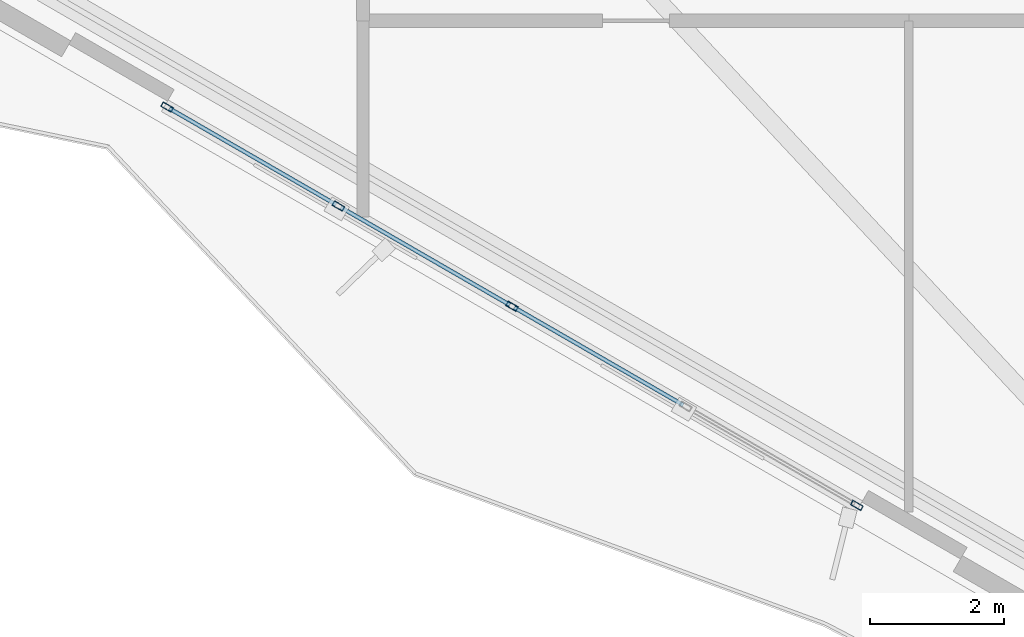
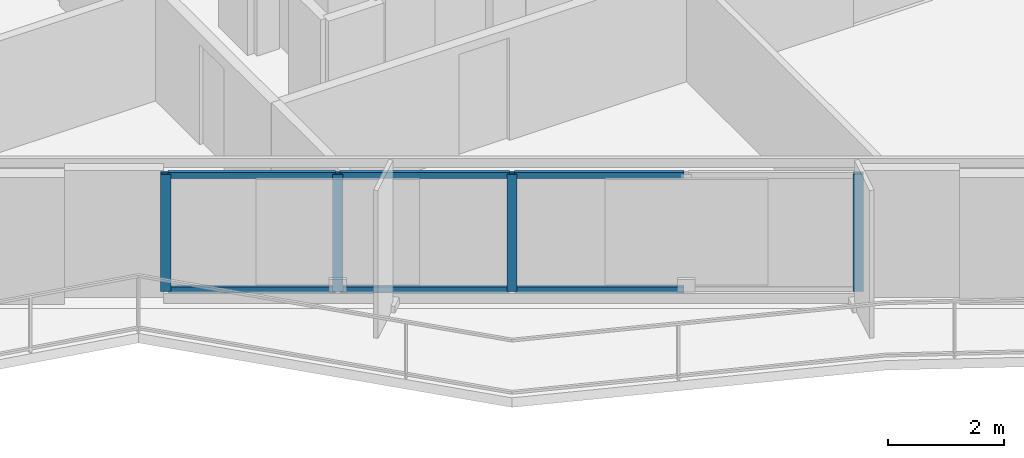
# One storey, part 2 of 16: 10 members, 1 element without a shape of its own.
"""IFC4 building model written with IfcOpenShell, lengths in metres."""

import ifcopenshell
import ifcopenshell.guid

model = None  # the IFC model being written
_history = None  # IfcOwnerHistory: only IFC2X3 demands one
_inside = {}  # id of a spatial element -> (the spatial element, [elements in it])
_under = {}  # id of a project, library or spatial element -> (it, [spatial elements below it])
_declared = {}  # id of a project -> (the project, [libraries it declares])
_typed = {}  # id of a type object -> (the type object, [elements of that type])
_made_of = {}  # id of a material, layer set ... -> (it, [elements and type objects made of it])


def new_model(schema):
    """Start an empty IFC model of exactly this schema.

    Asked for "IFC4X3", IfcOpenShell would pick the latest addendum, in which some entities
    have other attributes; the version numbers below select the first issue.
    IFC2X3 requires an IfcOwnerHistory on every rooted entity: one is made here for all.
    """
    global model, _history
    if schema == "IFC4X3":
        model = ifcopenshell.file(schema_version=(4, 3, 0, 0))
    else:
        model = ifcopenshell.file(schema=schema)
    _inside.clear()
    _under.clear()
    _declared.clear()
    _typed.clear()
    _made_of.clear()
    _history = None
    if model.schema == "IFC2X3":
        org = make("IfcOrganization", Name="unknown")
        user = make(
            "IfcPersonAndOrganization",
            ThePerson=make("IfcPerson", FamilyName="unknown"),
            TheOrganization=org,
        )
        app = make(
            "IfcApplication",
            ApplicationDeveloper=org,
            Version="unknown",
            ApplicationFullName="unknown",
            ApplicationIdentifier="unknown",
        )
        _history = make(
            "IfcOwnerHistory",
            OwningUser=user,
            OwningApplication=app,
            ChangeAction="ADDED",
            CreationDate=0,
        )
    return model


def make(cls, **values):
    """One entity of the class cls with the attributes given. An attribute that is None is left unset."""
    return model.create_entity(
        cls, **{name: value for name, value in values.items() if value is not None}
    )


def rooted(cls, **values):
    """An entity with a GlobalId (a new one), such as an element, a storey or a relation."""
    return make(cls, GlobalId=ifcopenshell.guid.new(), OwnerHistory=_history, **values)


def si_unit(unit_type, name, prefix=None):
    """IfcSIUnit, for example si_unit("LENGTHUNIT", "METRE", prefix="MILLI")."""
    return make("IfcSIUnit", UnitType=unit_type, Prefix=prefix, Name=name)


def assignment(units):
    """IfcUnitAssignment: the units of a project."""
    return None if units is None else make("IfcUnitAssignment", Units=units)


def point(xyz):
    """IfcCartesianPoint."""
    return None if xyz is None else make("IfcCartesianPoint", Coordinates=xyz)


def direction(xyz):
    """IfcDirection."""
    return None if xyz is None else make("IfcDirection", DirectionRatios=xyz)


def frame(location, z_axis=None, x_axis=None):
    """IfcAxis2Placement3D, a coordinate frame: its origin and axes. An axis left out is left unset."""
    return make(
        "IfcAxis2Placement3D",
        Location=point(location),
        Axis=direction(z_axis),
        RefDirection=direction(x_axis),
    )


def frame_2d(location, x_axis=None):
    """IfcAxis2Placement2D, a coordinate frame in the plane: its origin and x axis."""
    return make(
        "IfcAxis2Placement2D", Location=point(location), RefDirection=direction(x_axis)
    )


def origin():
    """The frame at (0, 0, 0) with its axes left unset."""
    return frame((0.0, 0.0, 0.0))


def origin_2d():
    """The frame at (0, 0) in the plane with its x axis left unset."""
    return frame_2d((0.0, 0.0))


def place(relative_to, where):
    """IfcLocalPlacement: puts the frame where relative to a parent placement (None: the world)."""
    return make(
        "IfcLocalPlacement", PlacementRelTo=relative_to, RelativePlacement=where
    )


def context(
    kind, dimensions, precision=None, world=None, true_north=None, identifier=None
):
    """IfcGeometricRepresentationContext, for example the 3D "Model" context."""
    return make(
        "IfcGeometricRepresentationContext",
        ContextIdentifier=identifier,
        ContextType=kind,
        CoordinateSpaceDimension=dimensions,
        Precision=precision,
        WorldCoordinateSystem=world,
        TrueNorth=true_north,
    )


def subcontext(parent, identifier, kind, view, scale=None):
    """IfcGeometricRepresentationSubContext, for example "Body" below "Model"."""
    return make(
        "IfcGeometricRepresentationSubContext",
        ContextIdentifier=identifier,
        ContextType=kind,
        ParentContext=parent,
        TargetScale=scale,
        TargetView=view,
    )


def project(units=None, contexts=None):
    """IfcProject with its units and contexts."""
    return rooted(
        "IfcProject",
        Name="project",
        RepresentationContexts=contexts,
        UnitsInContext=assignment(units),
    )


def spatial(cls, under=None, at=None, **own):
    """A site, building, storey or space (cls), placed at a placement, below another one or the project."""
    s = rooted(cls, ObjectPlacement=at, **own)
    if under is not None:
        _under.setdefault(under.id(), (under, []))[1].append(s)
    return s


def profile(cls, at=None, kind="AREA", **sizes):
    """A parametric profile (cls). Its sizes go by their IFC names, for example OverallWidth=200.0."""
    return make(cls, ProfileType=kind, Position=at, **sizes)


def hollow_rectangle(**sizes):
    """IfcRectangleHollowProfileDef."""
    return profile("IfcRectangleHollowProfileDef", **sizes)


def extrude(swept, where, along, depth):
    """IfcExtrudedAreaSolid: the profile swept, set in the frame where, extruded along a direction by depth."""
    return make(
        "IfcExtrudedAreaSolid",
        SweptArea=swept,
        Position=where,
        ExtrudedDirection=direction(along),
        Depth=depth,
    )


def shape(context_of_items, identifier, shape_type, items):
    """IfcShapeRepresentation: the items that make up one representation, for example the "Body"."""
    return make(
        "IfcShapeRepresentation",
        ContextOfItems=context_of_items,
        RepresentationIdentifier=identifier,
        RepresentationType=shape_type,
        Items=items,
    )


def material(Name=None, Category=None):
    """IfcMaterial."""
    return make("IfcMaterial", Name=Name, Category=Category)


def layer(
    of_material, thickness, ventilated=None, Name=None, Category=None, Priority=None
):
    """IfcMaterialLayer: one layer of a wall or slab, of a material (None: an air gap)."""
    return make(
        "IfcMaterialLayer",
        Material=of_material,
        LayerThickness=thickness,
        IsVentilated=ventilated,
        Name=Name,
        Category=Category,
        Priority=Priority,
    )


def layer_set(layers, Name=None):
    """IfcMaterialLayerSet."""
    return make("IfcMaterialLayerSet", MaterialLayers=layers, LayerSetName=Name)


def material_profile(
    of_material, cross_section, Name=None, Category=None, Priority=None
):
    """IfcMaterialProfile: a cross section and its material."""
    return make(
        "IfcMaterialProfile",
        Name=Name,
        Material=of_material,
        Profile=cross_section,
        Priority=Priority,
        Category=Category,
    )


def profile_set(profiles, Name=None, composite=None):
    """IfcMaterialProfileSet."""
    return make(
        "IfcMaterialProfileSet",
        Name=Name,
        MaterialProfiles=profiles,
        CompositeProfile=composite,
    )


def made_of(thing, what):
    """Note that an element or type object is made of a material, layer set ...; save() writes the relation."""
    if what is not None:
        _made_of.setdefault(what.id(), (what, []))[1].append(thing)
    return thing


def type_object(cls, material=None, **own):
    """A type object (cls), such as IfcWallType, which elements share."""
    return made_of(rooted(cls, **own), material)


def element(
    cls,
    number,
    at=None,
    inside=None,
    cuts=None,
    type_object=None,
    material=None,
    context=None,
    identifier="Body",
    shape_type=None,
    held_by="IfcProductDefinitionShape",
    body=None,
    shapes=None,
    **own,
):
    """One element of the class cls, such as IfcWall. Its Tag is "e" and its number.

    at: its placement. inside: the storey or other place that contains it. cuts: it is an
    opening in that element (IfcRelVoidsElement). A single representation is given by context,
    identifier, shape_type and body (its items); several are given by shapes. held_by: the class
    of the entity that holds the representations. save() writes the other relations.
    """
    e = rooted(cls, Tag="e%d" % number, ObjectPlacement=at, **own)
    if body is not None:
        shapes = [shape(context, identifier, shape_type, body)]
    if shapes is not None:
        e.Representation = make(held_by, Representations=shapes)
    if inside is not None:
        _inside.setdefault(inside.id(), (inside, []))[1].append(e)
    if cuts is not None:
        rooted(
            "IfcRelVoidsElement", RelatingBuildingElement=cuts, RelatedOpeningElement=e
        )
    if type_object is not None:
        _typed.setdefault(type_object.id(), (type_object, []))[1].append(e)
    return made_of(e, material)


def aggregate(whole, parts):
    """IfcRelAggregates: a whole, such as a stair, and the parts it consists of."""
    return rooted("IfcRelAggregates", RelatingObject=whole, RelatedObjects=parts)


def save(model, path):
    """Write the relations noted so far, then the file.

    IfcRelAggregates (storeys below a building ...), IfcRelContainedInSpatialStructure (elements
    in a storey), IfcRelDefinesByType, IfcRelAssociatesMaterial and IfcRelDeclares: one each for
    every whole, place, type object, material and project.
    """
    for whole, parts in _under.values():
        aggregate(whole, parts)
    for where, things in _inside.values():
        rooted(
            "IfcRelContainedInSpatialStructure",
            RelatedElements=things,
            RelatingStructure=where,
        )
    for kind, things in _typed.values():
        rooted("IfcRelDefinesByType", RelatedObjects=things, RelatingType=kind)
    for what, things in _made_of.values():
        rooted("IfcRelAssociatesMaterial", RelatedObjects=things, RelatingMaterial=what)
    for by, libraries in _declared.values():
        rooted("IfcRelDeclares", RelatingContext=by, RelatedDefinitions=libraries)
    model.write(path)


model = new_model("IFC4")

# Units and contexts
model_context = context("Model", 3, precision=1e-05, world=origin(), true_north=direction((0.0, 1.0)))
body_context = subcontext(model_context, "Body", "Model", "MODEL_VIEW")
ifc_project = project(units=[si_unit("LENGTHUNIT", "METRE"), si_unit("AREAUNIT", "SQUARE_METRE"), si_unit("VOLUMEUNIT", "CUBIC_METRE"), si_unit("PLANEANGLEUNIT", "RADIAN"), si_unit("MASSUNIT", "GRAM", prefix="KILO")], contexts=[model_context])

# Site, building, storey
site_placement = place(None, origin())
site = spatial("IfcSite", under=ifc_project, at=site_placement, CompositionType="ELEMENT")
building_placement = place(site_placement, origin())
building = spatial("IfcBuilding", under=site, at=building_placement, Name="Mersakhor Tower and Convention Hall", CompositionType="ELEMENT")
storey_placement = place(building_placement, frame((0.0, 0.0, 19.199951171875)))
storey = spatial("IfcBuildingStorey", under=building, at=storey_placement, Name="L04", CompositionType="ELEMENT", Elevation=19.199951171875)

# Curtain wall, members
ifc_material_1 = material(Name="Dark solar low-E aluminium curtain wall", Category="aluminium")
ifc_layer = layer(ifc_material_1, 0.18994140625)
ifc_layer_set = layer_set([ifc_layer], Name="Dark solar low-E aluminium curtain wall")
curtain_wall_type = type_object("IfcCurtainWallType", Name="CW-SYS-04", PredefinedType="USERDEFINED", material=ifc_layer_set)
curtain_wall_placement = place(storey_placement, origin())
curtain_wall = element("IfcCurtainWall", 1, at=curtain_wall_placement, inside=storey, type_object=curtain_wall_type, Name="L04 Dark-Glass Curtain Wall F3-B2", ObjectType="CURTAIN WALL", PredefinedType="USERDEFINED")
ifc_material_2 = material(Name="Anodised aluminium EN AW-6063 T6", Category="aluminium")
ifc_material_profile_1 = material_profile(ifc_material_2, hollow_rectangle(XDim=0.080078125, YDim=0.179931640625, WallThickness=0.008056640625, at=origin_2d()), Name="RHS 180x80x8")
ifc_profile_set_1 = profile_set([ifc_material_profile_1], Name="Anodised aluminium EN AW-6063 T6")
member_type_1 = type_object("IfcMemberType", Name="CWM-180x80", PredefinedType="MULLION", material=ifc_profile_set_1)
member_1_placement = place(storey_placement, frame((26.724853515625, 10.916259765625, 0.199951171875), z_axis=(0.0, 0.0, 1.0), x_axis=(-0.50000344889, -0.866023412558, 0.0)))
member_1 = element("IfcMember", 2, at=member_1_placement, type_object=member_type_1, Name="CW-04 mullion 1", PredefinedType="MULLION", context=body_context, shape_type="SweptSolid", body=[
    extrude(hollow_rectangle(XDim=0.080078125, YDim=0.179931640625, WallThickness=0.008056640625, at=origin_2d()), origin(), (0.0, 0.0, 1.0), 2.460205078125),
])
member_2_placement = place(storey_placement, frame((21.574951171875, 13.889404296875, 0.199951171875), z_axis=(0.0, 0.0, 1.0), x_axis=(-0.50000344889, -0.866023412558, 0.0)))
member_2 = element("IfcMember", 3, at=member_2_placement, type_object=member_type_1, Name="CW-04 mullion 3", PredefinedType="MULLION", context=body_context, shape_type="SweptSolid", body=[
    extrude(hollow_rectangle(XDim=0.080078125, YDim=0.179931640625, WallThickness=0.008056640625, at=origin_2d()), origin(), (0.0, 0.0, 1.0), 2.460205078125),
])
member_3_placement = place(storey_placement, frame((18.982666015625, 15.38623046875, 0.199951171875), z_axis=(0.0, 0.0, 1.0), x_axis=(-0.50000344889, -0.866023412558, 0.0)))
member_3 = element("IfcMember", 4, at=member_3_placement, type_object=member_type_1, Name="CW-04 mullion 4", PredefinedType="MULLION", context=body_context, shape_type="SweptSolid", body=[
    extrude(hollow_rectangle(XDim=0.080078125, YDim=0.179931640625, WallThickness=0.008056640625, at=origin_2d()), origin(), (0.0, 0.0, 1.0), 2.460205078125),
])
member_4_placement = place(storey_placement, frame((16.425048828125, 16.86279296875, 0.199951171875), z_axis=(0.0, 0.0, 1.0), x_axis=(-0.50000344889, -0.866023412558, 0.0)))
member_4 = element("IfcMember", 5, at=member_4_placement, type_object=member_type_1, Name="CW-04 mullion 5", PredefinedType="MULLION", context=body_context, shape_type="SweptSolid", body=[
    extrude(hollow_rectangle(XDim=0.080078125, YDim=0.179931640625, WallThickness=0.008056640625, at=origin_2d()), origin(), (0.0, 0.0, 1.0), 2.460205078125),
])
ifc_material_3 = material(Name="Anodised aluminium EN AW-6063 T6", Category="aluminium")
ifc_material_profile_2 = material_profile(ifc_material_3, hollow_rectangle(XDim=0.06005859375, YDim=0.1201171875, WallThickness=0.0048828125, at=origin_2d()), Name="RHS 120x60x5")
ifc_profile_set_2 = profile_set([ifc_material_profile_2], Name="Anodised aluminium EN AW-6063 T6")
member_type_2 = type_object("IfcMemberType", Name="CWT-120x60", PredefinedType="USERDEFINED", material=ifc_profile_set_2)
member_5_placement = place(storey_placement, frame((24.132568359375, 12.412841796875, 0.22998046875), z_axis=(-0.866037657489, 0.499978775361, 0.0), x_axis=(-0.499978775361, -0.866037657489, 0.0)))
member_5 = element("IfcMember", 6, at=member_5_placement, type_object=member_type_2, Name="CW-04 transom 2.1", ObjectType="TRANSOM", PredefinedType="USERDEFINED", context=body_context, shape_type="SweptSolid", body=[
    extrude(hollow_rectangle(XDim=0.06005859375, YDim=0.1201171875, WallThickness=0.0048828125, at=origin_2d()), origin(), (0.0, 0.0, 1.0), 2.913330078125),
])
member_6_placement = place(storey_placement, frame((24.132568359375, 12.412841796875, 2.630126953125), z_axis=(-0.866037657489, 0.499978775361, 0.0), x_axis=(-0.499978775361, -0.866037657489, 0.0)))
member_6 = element("IfcMember", 7, at=member_6_placement, type_object=member_type_2, Name="CW-04 transom 2.2", ObjectType="TRANSOM", PredefinedType="USERDEFINED", context=body_context, shape_type="SweptSolid", body=[
    extrude(hollow_rectangle(XDim=0.06005859375, YDim=0.1201171875, WallThickness=0.0048828125, at=origin_2d()), origin(), (0.0, 0.0, 1.0), 2.913330078125),
])
member_7_placement = place(storey_placement, frame((21.540283203125, 13.909423828125, 0.22998046875), z_axis=(-0.866001369261, 0.500041626706, 0.0), x_axis=(-0.500041626706, -0.866001369261, 0.0)))
member_7 = element("IfcMember", 8, at=member_7_placement, type_object=member_type_2, Name="CW-04 transom 3.1", ObjectType="TRANSOM", PredefinedType="USERDEFINED", context=body_context, shape_type="SweptSolid", body=[
    extrude(hollow_rectangle(XDim=0.06005859375, YDim=0.1201171875, WallThickness=0.0048828125, at=origin_2d()), origin(), (0.0, 0.0, 1.0), 2.913330078125),
])
member_8_placement = place(storey_placement, frame((21.540283203125, 13.909423828125, 2.630126953125), z_axis=(-0.866001369261, 0.500041626706, 0.0), x_axis=(-0.500041626706, -0.866001369261, 0.0)))
member_8 = element("IfcMember", 9, at=member_8_placement, type_object=member_type_2, Name="CW-04 transom 3.2", ObjectType="TRANSOM", PredefinedType="USERDEFINED", context=body_context, shape_type="SweptSolid", body=[
    extrude(hollow_rectangle(XDim=0.06005859375, YDim=0.1201171875, WallThickness=0.0048828125, at=origin_2d()), origin(), (0.0, 0.0, 1.0), 2.913330078125),
])
member_9_placement = place(storey_placement, frame((18.947998046875, 15.40625, 0.22998046875), z_axis=(-0.866038426532, 0.499977443261, 0.0), x_axis=(-0.499977443261, -0.866038426532, 0.0)))
member_9 = element("IfcMember", 10, at=member_9_placement, type_object=member_type_2, Name="CW-04 transom 4.1", ObjectType="TRANSOM", PredefinedType="USERDEFINED", context=body_context, shape_type="SweptSolid", body=[
    extrude(hollow_rectangle(XDim=0.06005859375, YDim=0.1201171875, WallThickness=0.0048828125, at=origin_2d()), origin(), (0.0, 0.0, 1.0), 2.873291015625),
])
member_10_placement = place(storey_placement, frame((18.947998046875, 15.40625, 2.630126953125), z_axis=(-0.866038426532, 0.499977443261, 0.0), x_axis=(-0.499977443261, -0.866038426532, 0.0)))
member_10 = element("IfcMember", 11, at=member_10_placement, type_object=member_type_2, Name="CW-04 transom 4.2", ObjectType="TRANSOM", PredefinedType="USERDEFINED", context=body_context, shape_type="SweptSolid", body=[
    extrude(hollow_rectangle(XDim=0.06005859375, YDim=0.1201171875, WallThickness=0.0048828125, at=origin_2d()), origin(), (0.0, 0.0, 1.0), 2.873291015625),
])
aggregate(curtain_wall, [member_1, member_2, member_3, member_4, member_5, member_6, member_7, member_8, member_9, member_10])

save(model, "model.ifc")
